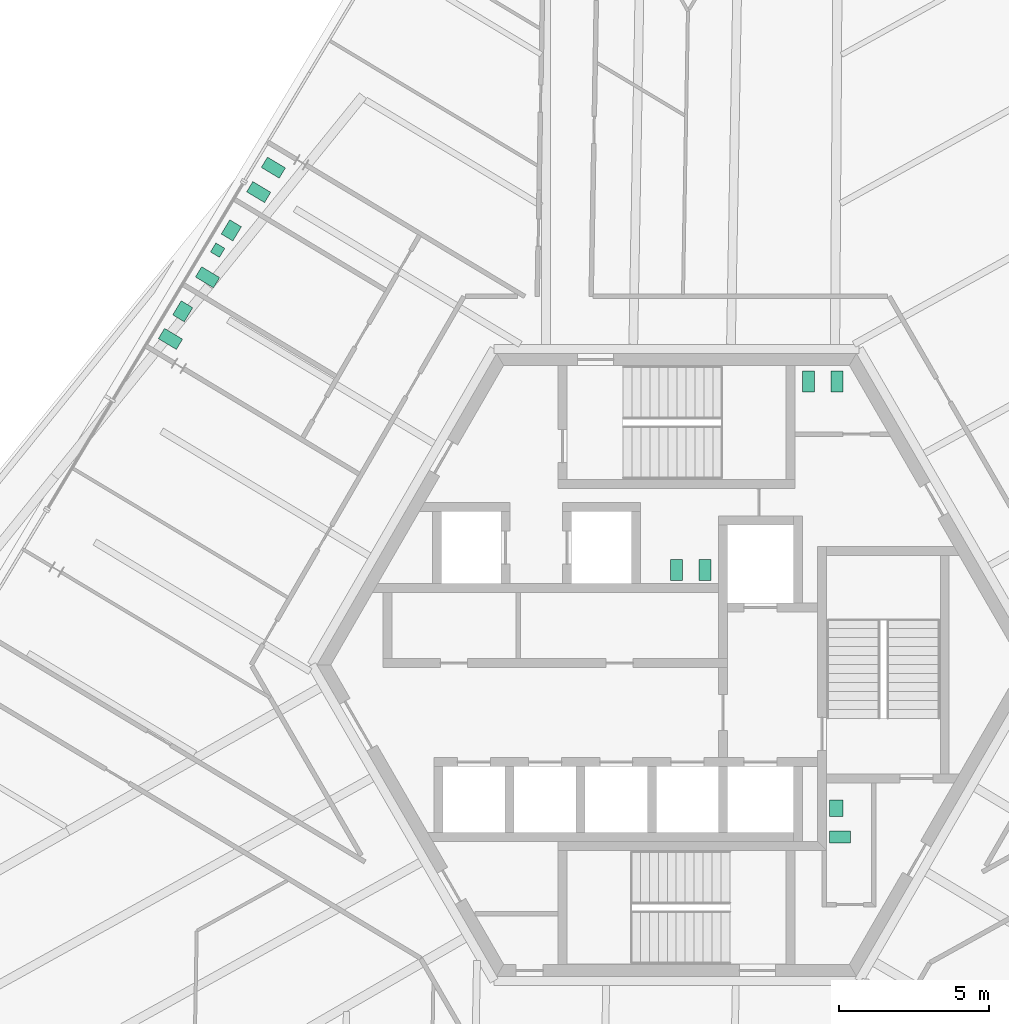
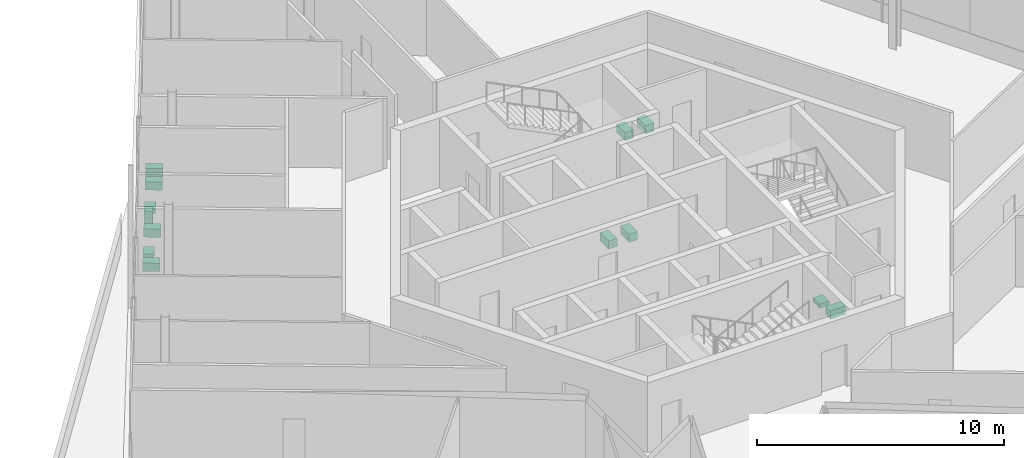
# One storey, part 22 of 22: 13 sanitary terminals.
"""IFC4 building model written with IfcOpenShell, lengths in metres."""

from ifc_helpers import new_model, si_unit, direction, frame, origin, origin_2d, place, context, subcontext, project, spatial, rectangle, extrude, source, transform, mapped, material, element, save


model = new_model("IFC4")

# Units and contexts
model_context = context("Model", 3, precision=1e-05, world=origin(), true_north=direction((0.0, 1.0)))
body_context = subcontext(model_context, "Body", "Model", "MODEL_VIEW")
ifc_project = project(units=[si_unit("LENGTHUNIT", "METRE"), si_unit("AREAUNIT", "SQUARE_METRE"), si_unit("VOLUMEUNIT", "CUBIC_METRE"), si_unit("PLANEANGLEUNIT", "RADIAN"), si_unit("MASSUNIT", "GRAM", prefix="KILO")], contexts=[model_context])

# Site, building, storey
site_placement = place(None, origin())
site = spatial("IfcSite", under=ifc_project, at=site_placement, CompositionType="ELEMENT")
building_placement = place(site_placement, origin())
building = spatial("IfcBuilding", under=site, at=building_placement, Name="Triune Harvest Tower", CompositionType="ELEMENT")
storey_placement = place(building_placement, frame((0.0, 0.0, 179.89990234375)))
storey = spatial("IfcBuildingStorey", under=building, at=storey_placement, Name="L46", CompositionType="ELEMENT", Elevation=179.89990234375)

# Sanitary terminals
ifc_material = material(Name="Vitreous china")
shared_shape_1 = source(origin(), body_context, "Body", "SweptSolid", [
    extrude(rectangle(XDim=0.39990234375, YDim=0.699951171875, at=origin_2d()), origin(), (0.0, 0.0, 1.0), 0.39990234375),
])
for number, where, z_axis, x_axis, name in (
    (1, (4.39990234375, 9.449951171875, 0.000244140625), (0.0, 0.0, 1.0), (1.0, 0.0, 0.0), "Toilet pan L46.c01"),
    (2, (5.35009765625, 9.449951171875, 0.000244140625), (0.0, 0.0, 1.0), (1.0, 0.0, 0.0), "Toilet pan L46.c02"),
    (3, (0.949951171875, 3.159912109375, 0.000244140625), (0.0, 0.0, 1.0), (-1.0, 0.0, 0.0), "Toilet pan L46.c03"),
    (4, (0.0, 3.159912109375, 0.000244140625), (0.0, 0.0, 1.0), (-1.0, 0.0, 0.0), "Toilet pan L46.c04"),
    (5, (5.449951171875, -5.739990234375, 0.000244140625), (0.0, 0.0, 1.0), (0.0, 1.0, 0.0), "Toilet pan L46.c05"),
    (6, (-13.943359375, 15.776123046875, 0.000244140625), (0.0, 0.0, 1.0), (0.51506799538, 0.85714932196, 0.0), "Toilet pan 01"),
    (7, (-13.4541015625, 16.59033203125, 0.000244140625), (0.0, 0.0, 1.0), (0.51506799538, 0.85714932196, 0.0), "Toilet pan 02"),
    (8, (-15.6513671875, 12.933349609375, 0.000244140625), (0.0, 0.0, 1.0), (0.51503807491, 0.857167300702, 0.0), "Toilet pan 03"),
    (9, (-16.887451171875, 10.876220703125, 0.000244140625), (0.0, 0.0, 1.0), (0.515008153813, 0.8571852784, 0.0), "Toilet pan 06"),
):
    element("IfcSanitaryTerminal", number, at=place(storey_placement, frame(where, z_axis=z_axis, x_axis=x_axis)), inside=storey, material=ifc_material, Name=name, PredefinedType="TOILETPAN", context=body_context, shape_type="MappedRepresentation", body=[
        mapped(shared_shape_1, transform((0.0, 0.0, 0.0), scale=1.0)),
    ])
shared_shape_2 = source(origin(), body_context, "Body", "SweptSolid", [
    extrude(rectangle(XDim=0.35009765625, YDim=0.35009765625, at=origin_2d()), origin(), (0.0, 0.0, 1.0), 0.60009765625),
])
sanitary_terminal_placement = place(storey_placement, frame((-15.31201171875, 13.837890625, 0.0), z_axis=(0.0, 0.0, 1.0), x_axis=(0.51503807491, 0.857167300702, 0.0)))
element("IfcSanitaryTerminal", 10, at=sanitary_terminal_placement, inside=storey, material=ifc_material, Name="Urinal 04", PredefinedType="URINAL", context=body_context, shape_type="MappedRepresentation", body=[
    mapped(shared_shape_2, transform((0.0, 0.0, 0.0), scale=1.0)),
])
shared_shape_3 = source(origin(), body_context, "Body", "SweptSolid", [
    extrude(rectangle(XDim=0.550048828125, YDim=0.449951171875, at=origin_2d()), origin(), (0.0, 0.0, 1.0), 0.199951171875),
])
for number, where, z_axis, x_axis, name in (
    (11, (5.324951171875, -4.7900390625, 0.0), (0.0, 0.0, 1.0), (0.0, 1.0, 0.0), "Wash basin L46.c06"),
    (12, (-14.857177734375, 14.497802734375, 0.0), (0.0, 0.0, 1.0), (0.51503807491, 0.857167300702, 0.0), "Wash basin 05"),
    (13, (-16.4794921875, 11.7978515625, 0.0), (0.0, 0.0, 1.0), (0.515008153813, 0.8571852784, 0.0), "Wash basin 07"),
):
    element("IfcSanitaryTerminal", number, at=place(storey_placement, frame(where, z_axis=z_axis, x_axis=x_axis)), inside=storey, material=ifc_material, Name=name, PredefinedType="WASHHANDBASIN", context=body_context, shape_type="MappedRepresentation", body=[
        mapped(shared_shape_3, transform((0.0, 0.0, 0.0), scale=1.0)),
    ])

save(model, "model.ifc")
